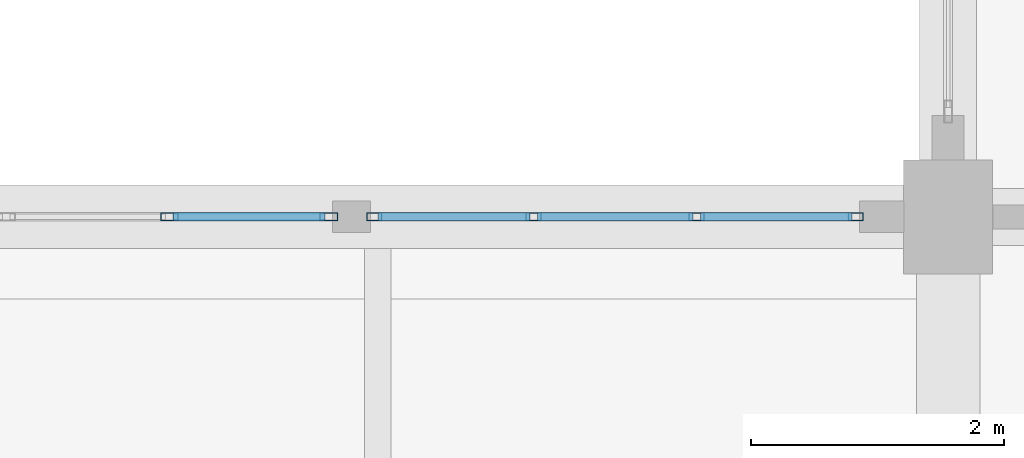
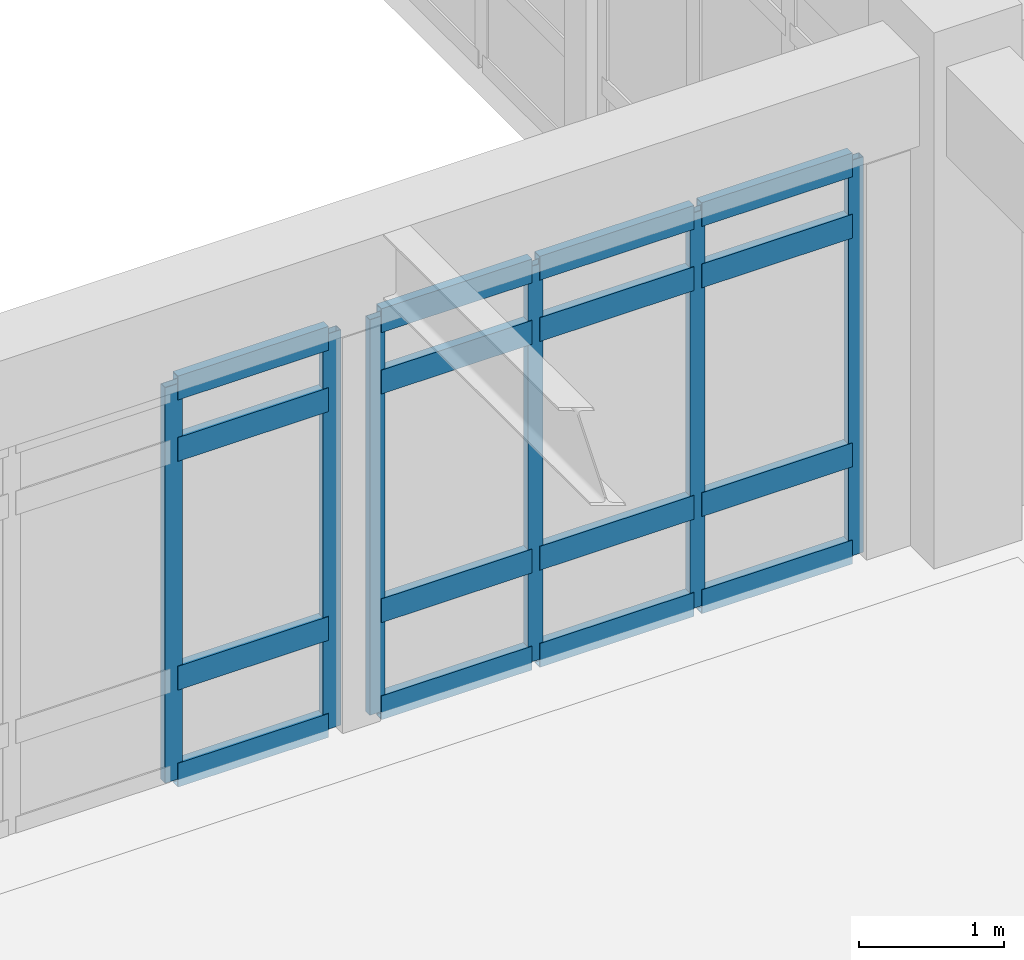
# One storey, part 10 of 109: 22 members, 2 elements without a shape of their own.
"""IFC4 building model written with IfcOpenShell, lengths in metres."""

import ifcopenshell
import ifcopenshell.guid

model = None  # the IFC model being written
_history = None  # IfcOwnerHistory: only IFC2X3 demands one
_inside = {}  # id of a spatial element -> (the spatial element, [elements in it])
_under = {}  # id of a project, library or spatial element -> (it, [spatial elements below it])
_declared = {}  # id of a project -> (the project, [libraries it declares])
_typed = {}  # id of a type object -> (the type object, [elements of that type])
_made_of = {}  # id of a material, layer set ... -> (it, [elements and type objects made of it])


def new_model(schema):
    """Start an empty IFC model of exactly this schema.

    Asked for "IFC4X3", IfcOpenShell would pick the latest addendum, in which some entities
    have other attributes; the version numbers below select the first issue.
    IFC2X3 requires an IfcOwnerHistory on every rooted entity: one is made here for all.
    """
    global model, _history
    if schema == "IFC4X3":
        model = ifcopenshell.file(schema_version=(4, 3, 0, 0))
    else:
        model = ifcopenshell.file(schema=schema)
    _inside.clear()
    _under.clear()
    _declared.clear()
    _typed.clear()
    _made_of.clear()
    _history = None
    if model.schema == "IFC2X3":
        org = make("IfcOrganization", Name="unknown")
        user = make(
            "IfcPersonAndOrganization",
            ThePerson=make("IfcPerson", FamilyName="unknown"),
            TheOrganization=org,
        )
        app = make(
            "IfcApplication",
            ApplicationDeveloper=org,
            Version="unknown",
            ApplicationFullName="unknown",
            ApplicationIdentifier="unknown",
        )
        _history = make(
            "IfcOwnerHistory",
            OwningUser=user,
            OwningApplication=app,
            ChangeAction="ADDED",
            CreationDate=0,
        )
    return model


def make(cls, **values):
    """One entity of the class cls with the attributes given. An attribute that is None is left unset."""
    return model.create_entity(
        cls, **{name: value for name, value in values.items() if value is not None}
    )


def rooted(cls, **values):
    """An entity with a GlobalId (a new one), such as an element, a storey or a relation."""
    return make(cls, GlobalId=ifcopenshell.guid.new(), OwnerHistory=_history, **values)


def si_unit(unit_type, name, prefix=None):
    """IfcSIUnit, for example si_unit("LENGTHUNIT", "METRE", prefix="MILLI")."""
    return make("IfcSIUnit", UnitType=unit_type, Prefix=prefix, Name=name)


def assignment(units):
    """IfcUnitAssignment: the units of a project."""
    return None if units is None else make("IfcUnitAssignment", Units=units)


def point(xyz):
    """IfcCartesianPoint."""
    return None if xyz is None else make("IfcCartesianPoint", Coordinates=xyz)


def direction(xyz):
    """IfcDirection."""
    return None if xyz is None else make("IfcDirection", DirectionRatios=xyz)


def frame(location, z_axis=None, x_axis=None):
    """IfcAxis2Placement3D, a coordinate frame: its origin and axes. An axis left out is left unset."""
    return make(
        "IfcAxis2Placement3D",
        Location=point(location),
        Axis=direction(z_axis),
        RefDirection=direction(x_axis),
    )


def frame_2d(location, x_axis=None):
    """IfcAxis2Placement2D, a coordinate frame in the plane: its origin and x axis."""
    return make(
        "IfcAxis2Placement2D", Location=point(location), RefDirection=direction(x_axis)
    )


def origin():
    """The frame at (0, 0, 0) with its axes left unset."""
    return frame((0.0, 0.0, 0.0))


def origin_2d():
    """The frame at (0, 0) in the plane with its x axis left unset."""
    return frame_2d((0.0, 0.0))


def place(relative_to, where):
    """IfcLocalPlacement: puts the frame where relative to a parent placement (None: the world)."""
    return make(
        "IfcLocalPlacement", PlacementRelTo=relative_to, RelativePlacement=where
    )


def context(
    kind, dimensions, precision=None, world=None, true_north=None, identifier=None
):
    """IfcGeometricRepresentationContext, for example the 3D "Model" context."""
    return make(
        "IfcGeometricRepresentationContext",
        ContextIdentifier=identifier,
        ContextType=kind,
        CoordinateSpaceDimension=dimensions,
        Precision=precision,
        WorldCoordinateSystem=world,
        TrueNorth=true_north,
    )


def subcontext(parent, identifier, kind, view, scale=None):
    """IfcGeometricRepresentationSubContext, for example "Body" below "Model"."""
    return make(
        "IfcGeometricRepresentationSubContext",
        ContextIdentifier=identifier,
        ContextType=kind,
        ParentContext=parent,
        TargetScale=scale,
        TargetView=view,
    )


def project(units=None, contexts=None):
    """IfcProject with its units and contexts."""
    return rooted(
        "IfcProject",
        Name="project",
        RepresentationContexts=contexts,
        UnitsInContext=assignment(units),
    )


def spatial(cls, under=None, at=None, **own):
    """A site, building, storey or space (cls), placed at a placement, below another one or the project."""
    s = rooted(cls, ObjectPlacement=at, **own)
    if under is not None:
        _under.setdefault(under.id(), (under, []))[1].append(s)
    return s


def profile(cls, at=None, kind="AREA", **sizes):
    """A parametric profile (cls). Its sizes go by their IFC names, for example OverallWidth=200.0."""
    return make(cls, ProfileType=kind, Position=at, **sizes)


def hollow_rectangle(**sizes):
    """IfcRectangleHollowProfileDef."""
    return profile("IfcRectangleHollowProfileDef", **sizes)


def extrude(swept, where, along, depth):
    """IfcExtrudedAreaSolid: the profile swept, set in the frame where, extruded along a direction by depth."""
    return make(
        "IfcExtrudedAreaSolid",
        SweptArea=swept,
        Position=where,
        ExtrudedDirection=direction(along),
        Depth=depth,
    )


def shape(context_of_items, identifier, shape_type, items):
    """IfcShapeRepresentation: the items that make up one representation, for example the "Body"."""
    return make(
        "IfcShapeRepresentation",
        ContextOfItems=context_of_items,
        RepresentationIdentifier=identifier,
        RepresentationType=shape_type,
        Items=items,
    )


def material(Name=None, Category=None):
    """IfcMaterial."""
    return make("IfcMaterial", Name=Name, Category=Category)


def layer(
    of_material, thickness, ventilated=None, Name=None, Category=None, Priority=None
):
    """IfcMaterialLayer: one layer of a wall or slab, of a material (None: an air gap)."""
    return make(
        "IfcMaterialLayer",
        Material=of_material,
        LayerThickness=thickness,
        IsVentilated=ventilated,
        Name=Name,
        Category=Category,
        Priority=Priority,
    )


def layer_set(layers, Name=None):
    """IfcMaterialLayerSet."""
    return make("IfcMaterialLayerSet", MaterialLayers=layers, LayerSetName=Name)


def material_profile(
    of_material, cross_section, Name=None, Category=None, Priority=None
):
    """IfcMaterialProfile: a cross section and its material."""
    return make(
        "IfcMaterialProfile",
        Name=Name,
        Material=of_material,
        Profile=cross_section,
        Priority=Priority,
        Category=Category,
    )


def profile_set(profiles, Name=None, composite=None):
    """IfcMaterialProfileSet."""
    return make(
        "IfcMaterialProfileSet",
        Name=Name,
        MaterialProfiles=profiles,
        CompositeProfile=composite,
    )


def made_of(thing, what):
    """Note that an element or type object is made of a material, layer set ...; save() writes the relation."""
    if what is not None:
        _made_of.setdefault(what.id(), (what, []))[1].append(thing)
    return thing


def type_object(cls, material=None, **own):
    """A type object (cls), such as IfcWallType, which elements share."""
    return made_of(rooted(cls, **own), material)


def element(
    cls,
    number,
    at=None,
    inside=None,
    cuts=None,
    type_object=None,
    material=None,
    context=None,
    identifier="Body",
    shape_type=None,
    held_by="IfcProductDefinitionShape",
    body=None,
    shapes=None,
    **own,
):
    """One element of the class cls, such as IfcWall. Its Tag is "e" and its number.

    at: its placement. inside: the storey or other place that contains it. cuts: it is an
    opening in that element (IfcRelVoidsElement). A single representation is given by context,
    identifier, shape_type and body (its items); several are given by shapes. held_by: the class
    of the entity that holds the representations. save() writes the other relations.
    """
    e = rooted(cls, Tag="e%d" % number, ObjectPlacement=at, **own)
    if body is not None:
        shapes = [shape(context, identifier, shape_type, body)]
    if shapes is not None:
        e.Representation = make(held_by, Representations=shapes)
    if inside is not None:
        _inside.setdefault(inside.id(), (inside, []))[1].append(e)
    if cuts is not None:
        rooted(
            "IfcRelVoidsElement", RelatingBuildingElement=cuts, RelatedOpeningElement=e
        )
    if type_object is not None:
        _typed.setdefault(type_object.id(), (type_object, []))[1].append(e)
    return made_of(e, material)


def aggregate(whole, parts):
    """IfcRelAggregates: a whole, such as a stair, and the parts it consists of."""
    return rooted("IfcRelAggregates", RelatingObject=whole, RelatedObjects=parts)


def save(model, path):
    """Write the relations noted so far, then the file.

    IfcRelAggregates (storeys below a building ...), IfcRelContainedInSpatialStructure (elements
    in a storey), IfcRelDefinesByType, IfcRelAssociatesMaterial and IfcRelDeclares: one each for
    every whole, place, type object, material and project.
    """
    for whole, parts in _under.values():
        aggregate(whole, parts)
    for where, things in _inside.values():
        rooted(
            "IfcRelContainedInSpatialStructure",
            RelatedElements=things,
            RelatingStructure=where,
        )
    for kind, things in _typed.values():
        rooted("IfcRelDefinesByType", RelatedObjects=things, RelatingType=kind)
    for what, things in _made_of.values():
        rooted("IfcRelAssociatesMaterial", RelatedObjects=things, RelatingMaterial=what)
    for by, libraries in _declared.values():
        rooted("IfcRelDeclares", RelatingContext=by, RelatedDefinitions=libraries)
    model.write(path)


model = new_model("IFC4")

# Units and contexts
model_context = context("Model", 3, precision=1e-05, world=origin(), true_north=direction((0.0, 1.0)))
body_context = subcontext(model_context, "Body", "Model", "MODEL_VIEW")
ifc_project = project(units=[si_unit("LENGTHUNIT", "METRE"), si_unit("AREAUNIT", "SQUARE_METRE"), si_unit("VOLUMEUNIT", "CUBIC_METRE"), si_unit("PLANEANGLEUNIT", "RADIAN"), si_unit("MASSUNIT", "GRAM", prefix="KILO")], contexts=[model_context])

# Site, building, storey
site_placement = place(None, origin())
site = spatial("IfcSite", under=ifc_project, at=site_placement, CompositionType="ELEMENT")
building_placement = place(site_placement, origin())
building = spatial("IfcBuilding", under=site, at=building_placement, Name="Fikremerkos Civic Library", CompositionType="ELEMENT")
storey_placement = place(building_placement, frame((0.0, 0.0, 5.39990234375)))
storey = spatial("IfcBuildingStorey", under=building, at=storey_placement, Name="L01", CompositionType="ELEMENT", Elevation=5.39990234375)

# Curtain wall, members
ifc_material = material(Name="Anodized aluminium Frame", Category="aluminium")
ifc_layer_1 = layer(ifc_material, 0.159912109375, Name="Anodized aluminium Frame")
ifc_layer_set_1 = layer_set([ifc_layer_1], Name="Anodized aluminium Frame")
curtain_wall_type_1 = type_object("IfcCurtainWallType", Name="Unitised curtain wall CW-07 3500x4100", PredefinedType="USERDEFINED", material=ifc_layer_set_1)
curtain_wall_1_placement = place(storey_placement, origin())
curtain_wall_1 = element("IfcCurtainWall", 1, at=curtain_wall_1_placement, inside=storey, type_object=curtain_wall_type_1, Name="Unitised curtain wall CW-07 L01 #79", ObjectType="UNITISED CURTAIN WALL", PredefinedType="USERDEFINED")
ifc_material_profile_1 = material_profile(ifc_material, hollow_rectangle(XDim=0.06005859375, YDim=0.139892578125, WallThickness=0.00390625, at=origin_2d()), Name="ALU 140x60x4")
ifc_profile_set_1 = profile_set([ifc_material_profile_1], Name="Anodized aluminium Frame")
member_type_1 = type_object("IfcMemberType", Name="Curtain mullion CWM-03 ALU 140x60x4", PredefinedType="MULLION", material=ifc_profile_set_1)
member_1_placement = place(storey_placement, frame((40.0556640625, 31.199951171875, 0.0), z_axis=(0.0, 0.0, 1.0), x_axis=(0.0, 1.0, 0.0)))
member_1 = element("IfcMember", 2, at=member_1_placement, type_object=member_type_1, Name="CW-07 mullion 3", PredefinedType="MULLION", context=body_context, shape_type="SweptSolid", body=[
    extrude(hollow_rectangle(XDim=0.06005859375, YDim=0.139892578125, WallThickness=0.00390625, at=origin_2d()), origin(), (0.0, 0.0, 1.0), 3.320068359375),
])
member_2_placement = place(storey_placement, frame((41.312255859375, 31.199951171875, 0.0), z_axis=(0.0, 0.0, 1.0), x_axis=(0.0, 1.0, 0.0)))
member_2 = element("IfcMember", 3, at=member_2_placement, type_object=member_type_1, Name="CW-07 mullion 4", PredefinedType="MULLION", context=body_context, shape_type="SweptSolid", body=[
    extrude(hollow_rectangle(XDim=0.06005859375, YDim=0.139892578125, WallThickness=0.00390625, at=origin_2d()), origin(), (0.0, 0.0, 1.0), 3.320068359375),
])

ifc_layer_2 = layer(ifc_material, 0.159912109375, Name="Anodized aluminium Frame")
ifc_layer_set_2 = layer_set([ifc_layer_2], Name="Anodized aluminium Frame")
curtain_wall_type_2 = type_object("IfcCurtainWallType", Name="Unitised curtain wall CW-08 4500x4100", PredefinedType="USERDEFINED", material=ifc_layer_set_2)
curtain_wall_2_placement = place(storey_placement, origin())
curtain_wall_2 = element("IfcCurtainWall", 4, at=curtain_wall_2_placement, inside=storey, type_object=curtain_wall_type_2, Name="Unitised curtain wall CW-08 L01 #80", ObjectType="UNITISED CURTAIN WALL", PredefinedType="USERDEFINED")
ifc_material_profile_2 = material_profile(ifc_material, hollow_rectangle(XDim=0.06005859375, YDim=0.1201171875, WallThickness=0.00390625, at=origin_2d()), Name="ALU 120x60x4")
ifc_profile_set_2 = profile_set([ifc_material_profile_2], Name="Anodized aluminium Frame")
member_type_2 = type_object("IfcMemberType", Name="Curtain mullion CWM-04 ALU 120x60x4", PredefinedType="MULLION", material=ifc_profile_set_2)
member_3_placement = place(storey_placement, frame((41.67236328125, 31.199951171875, 0.0), z_axis=(0.0, 0.0, 1.0), x_axis=(0.0, 1.0, 0.0)))
member_3 = element("IfcMember", 5, at=member_3_placement, type_object=member_type_2, Name="CW-08 mullion 1", PredefinedType="MULLION", context=body_context, shape_type="SweptSolid", body=[
    extrude(hollow_rectangle(XDim=0.06005859375, YDim=0.1201171875, WallThickness=0.00390625, at=origin_2d()), origin(), (0.0, 0.0, 1.0), 3.320068359375),
])
member_4_placement = place(storey_placement, frame((42.928955078125, 31.199951171875, 0.0), z_axis=(0.0, 0.0, 1.0), x_axis=(0.0, 1.0, 0.0)))
member_4 = element("IfcMember", 6, at=member_4_placement, type_object=member_type_2, Name="CW-08 mullion 2", PredefinedType="MULLION", context=body_context, shape_type="SweptSolid", body=[
    extrude(hollow_rectangle(XDim=0.06005859375, YDim=0.1201171875, WallThickness=0.00390625, at=origin_2d()), origin(), (0.0, 0.0, 1.0), 3.320068359375),
])
member_5_placement = place(storey_placement, frame((44.21533203125, 31.199951171875, 0.0), z_axis=(0.0, 0.0, 1.0), x_axis=(0.0, 1.0, 0.0)))
member_5 = element("IfcMember", 7, at=member_5_placement, type_object=member_type_2, Name="CW-08 mullion 3", PredefinedType="MULLION", context=body_context, shape_type="SweptSolid", body=[
    extrude(hollow_rectangle(XDim=0.06005859375, YDim=0.1201171875, WallThickness=0.00390625, at=origin_2d()), origin(), (0.0, 0.0, 1.0), 3.320068359375),
])
member_6_placement = place(storey_placement, frame((45.471923828125, 31.199951171875, 0.0), z_axis=(0.0, 0.0, 1.0), x_axis=(0.0, 1.0, 0.0)))
member_6 = element("IfcMember", 8, at=member_6_placement, type_object=member_type_2, Name="CW-08 mullion 4", PredefinedType="MULLION", context=body_context, shape_type="SweptSolid", body=[
    extrude(hollow_rectangle(XDim=0.06005859375, YDim=0.1201171875, WallThickness=0.00390625, at=origin_2d()), origin(), (0.0, 0.0, 1.0), 3.320068359375),
])

# Member
ifc_material_profile_3 = material_profile(ifc_material, hollow_rectangle(XDim=0.070068359375, YDim=0.199951171875, WallThickness=0.0048828125, at=origin_2d()), Name="ALU 200x70x5")
ifc_profile_set_3 = profile_set([ifc_material_profile_3], Name="Anodized aluminium Frame")
member_type_3 = type_object("IfcMemberType", Name="Curtain transom CWT-04 ALU 200x70x5", PredefinedType="USERDEFINED", material=ifc_profile_set_3)
member_7_placement = place(storey_placement, frame((40.085693359375, 31.199951171875, 0.03515625), z_axis=(1.0, 0.0, 0.0), x_axis=(0.0, 1.0, 0.0)))
member_7 = element("IfcMember", 9, at=member_7_placement, type_object=member_type_3, Name="CW-07 transom 3.1", ObjectType="TRANSOM", PredefinedType="USERDEFINED", context=body_context, shape_type="SweptSolid", body=[
    extrude(hollow_rectangle(XDim=0.070068359375, YDim=0.199951171875, WallThickness=0.0048828125, at=origin_2d()), origin(), (0.0, 0.0, 1.0), 1.196533203125),
])

member_8_placement = place(storey_placement, frame((40.085693359375, 31.199951171875, 0.85009765625), z_axis=(1.0, 0.0, 0.0), x_axis=(0.0, 1.0, 0.0)))
member_8 = element("IfcMember", 10, at=member_8_placement, type_object=member_type_3, Name="CW-07 transom 3.2", ObjectType="TRANSOM", PredefinedType="USERDEFINED", context=body_context, shape_type="SweptSolid", body=[
    extrude(hollow_rectangle(XDim=0.070068359375, YDim=0.199951171875, WallThickness=0.0048828125, at=origin_2d()), origin(), (0.0, 0.0, 1.0), 1.196533203125),
])

member_9_placement = place(storey_placement, frame((40.085693359375, 31.199951171875, 2.77001953125), z_axis=(1.0, 0.0, 0.0), x_axis=(0.0, 1.0, 0.0)))
member_9 = element("IfcMember", 11, at=member_9_placement, type_object=member_type_3, Name="CW-07 transom 3.3", ObjectType="TRANSOM", PredefinedType="USERDEFINED", context=body_context, shape_type="SweptSolid", body=[
    extrude(hollow_rectangle(XDim=0.070068359375, YDim=0.199951171875, WallThickness=0.0048828125, at=origin_2d()), origin(), (0.0, 0.0, 1.0), 1.196533203125),
])

member_10_placement = place(storey_placement, frame((40.085693359375, 31.199951171875, 3.28515625), z_axis=(1.0, 0.0, 0.0), x_axis=(0.0, 1.0, 0.0)))
member_10 = element("IfcMember", 12, at=member_10_placement, type_object=member_type_3, Name="CW-07 transom 3.4", ObjectType="TRANSOM", PredefinedType="USERDEFINED", context=body_context, shape_type="SweptSolid", body=[
    extrude(hollow_rectangle(XDim=0.070068359375, YDim=0.199951171875, WallThickness=0.0048828125, at=origin_2d()), origin(), (0.0, 0.0, 1.0), 1.196533203125),
])

aggregate(curtain_wall_1, [member_1, member_2, member_7, member_8, member_9, member_10])

member_11_placement = place(storey_placement, frame((41.702392578125, 31.199951171875, 0.03515625), z_axis=(1.0, 0.0, 0.0), x_axis=(0.0, 1.0, 0.0)))
member_11 = element("IfcMember", 13, at=member_11_placement, type_object=member_type_3, Name="CW-08 transom 1.1", ObjectType="TRANSOM", PredefinedType="USERDEFINED", context=body_context, shape_type="SweptSolid", body=[
    extrude(hollow_rectangle(XDim=0.070068359375, YDim=0.199951171875, WallThickness=0.0048828125, at=origin_2d()), origin(), (0.0, 0.0, 1.0), 1.196533203125),
])

member_12_placement = place(storey_placement, frame((41.702392578125, 31.199951171875, 0.85009765625), z_axis=(1.0, 0.0, 0.0), x_axis=(0.0, 1.0, 0.0)))
member_12 = element("IfcMember", 14, at=member_12_placement, type_object=member_type_3, Name="CW-08 transom 1.2", ObjectType="TRANSOM", PredefinedType="USERDEFINED", context=body_context, shape_type="SweptSolid", body=[
    extrude(hollow_rectangle(XDim=0.070068359375, YDim=0.199951171875, WallThickness=0.0048828125, at=origin_2d()), origin(), (0.0, 0.0, 1.0), 1.196533203125),
])

member_13_placement = place(storey_placement, frame((41.702392578125, 31.199951171875, 2.77001953125), z_axis=(1.0, 0.0, 0.0), x_axis=(0.0, 1.0, 0.0)))
member_13 = element("IfcMember", 15, at=member_13_placement, type_object=member_type_3, Name="CW-08 transom 1.3", ObjectType="TRANSOM", PredefinedType="USERDEFINED", context=body_context, shape_type="SweptSolid", body=[
    extrude(hollow_rectangle(XDim=0.070068359375, YDim=0.199951171875, WallThickness=0.0048828125, at=origin_2d()), origin(), (0.0, 0.0, 1.0), 1.196533203125),
])

member_14_placement = place(storey_placement, frame((41.702392578125, 31.199951171875, 3.28515625), z_axis=(1.0, 0.0, 0.0), x_axis=(0.0, 1.0, 0.0)))
member_14 = element("IfcMember", 16, at=member_14_placement, type_object=member_type_3, Name="CW-08 transom 1.4", ObjectType="TRANSOM", PredefinedType="USERDEFINED", context=body_context, shape_type="SweptSolid", body=[
    extrude(hollow_rectangle(XDim=0.070068359375, YDim=0.199951171875, WallThickness=0.0048828125, at=origin_2d()), origin(), (0.0, 0.0, 1.0), 1.196533203125),
])

member_15_placement = place(storey_placement, frame((42.958984375, 31.199951171875, 0.03515625), z_axis=(1.0, 0.0, 0.0), x_axis=(0.0, 1.0, 0.0)))
member_15 = element("IfcMember", 17, at=member_15_placement, type_object=member_type_3, Name="CW-08 transom 2.1", ObjectType="TRANSOM", PredefinedType="USERDEFINED", context=body_context, shape_type="SweptSolid", body=[
    extrude(hollow_rectangle(XDim=0.070068359375, YDim=0.199951171875, WallThickness=0.0048828125, at=origin_2d()), origin(), (0.0, 0.0, 1.0), 1.2265625),
])

member_16_placement = place(storey_placement, frame((42.958984375, 31.199951171875, 0.85009765625), z_axis=(1.0, 0.0, 0.0), x_axis=(0.0, 1.0, 0.0)))
member_16 = element("IfcMember", 18, at=member_16_placement, type_object=member_type_3, Name="CW-08 transom 2.2", ObjectType="TRANSOM", PredefinedType="USERDEFINED", context=body_context, shape_type="SweptSolid", body=[
    extrude(hollow_rectangle(XDim=0.070068359375, YDim=0.199951171875, WallThickness=0.0048828125, at=origin_2d()), origin(), (0.0, 0.0, 1.0), 1.2265625),
])

member_17_placement = place(storey_placement, frame((42.958984375, 31.199951171875, 2.77001953125), z_axis=(1.0, 0.0, 0.0), x_axis=(0.0, 1.0, 0.0)))
member_17 = element("IfcMember", 19, at=member_17_placement, type_object=member_type_3, Name="CW-08 transom 2.3", ObjectType="TRANSOM", PredefinedType="USERDEFINED", context=body_context, shape_type="SweptSolid", body=[
    extrude(hollow_rectangle(XDim=0.070068359375, YDim=0.199951171875, WallThickness=0.0048828125, at=origin_2d()), origin(), (0.0, 0.0, 1.0), 1.2265625),
])

member_18_placement = place(storey_placement, frame((42.958984375, 31.199951171875, 3.28515625), z_axis=(1.0, 0.0, 0.0), x_axis=(0.0, 1.0, 0.0)))
member_18 = element("IfcMember", 20, at=member_18_placement, type_object=member_type_3, Name="CW-08 transom 2.4", ObjectType="TRANSOM", PredefinedType="USERDEFINED", context=body_context, shape_type="SweptSolid", body=[
    extrude(hollow_rectangle(XDim=0.070068359375, YDim=0.199951171875, WallThickness=0.0048828125, at=origin_2d()), origin(), (0.0, 0.0, 1.0), 1.2265625),
])

member_19_placement = place(storey_placement, frame((44.245361328125, 31.199951171875, 0.03515625), z_axis=(1.0, 0.0, 0.0), x_axis=(0.0, 1.0, 0.0)))
member_19 = element("IfcMember", 21, at=member_19_placement, type_object=member_type_3, Name="CW-08 transom 3.1", ObjectType="TRANSOM", PredefinedType="USERDEFINED", context=body_context, shape_type="SweptSolid", body=[
    extrude(hollow_rectangle(XDim=0.070068359375, YDim=0.199951171875, WallThickness=0.0048828125, at=origin_2d()), origin(), (0.0, 0.0, 1.0), 1.196533203125),
])

member_20_placement = place(storey_placement, frame((44.245361328125, 31.199951171875, 0.85009765625), z_axis=(1.0, 0.0, 0.0), x_axis=(0.0, 1.0, 0.0)))
member_20 = element("IfcMember", 22, at=member_20_placement, type_object=member_type_3, Name="CW-08 transom 3.2", ObjectType="TRANSOM", PredefinedType="USERDEFINED", context=body_context, shape_type="SweptSolid", body=[
    extrude(hollow_rectangle(XDim=0.070068359375, YDim=0.199951171875, WallThickness=0.0048828125, at=origin_2d()), origin(), (0.0, 0.0, 1.0), 1.196533203125),
])

member_21_placement = place(storey_placement, frame((44.245361328125, 31.199951171875, 2.77001953125), z_axis=(1.0, 0.0, 0.0), x_axis=(0.0, 1.0, 0.0)))
member_21 = element("IfcMember", 23, at=member_21_placement, type_object=member_type_3, Name="CW-08 transom 3.3", ObjectType="TRANSOM", PredefinedType="USERDEFINED", context=body_context, shape_type="SweptSolid", body=[
    extrude(hollow_rectangle(XDim=0.070068359375, YDim=0.199951171875, WallThickness=0.0048828125, at=origin_2d()), origin(), (0.0, 0.0, 1.0), 1.196533203125),
])

member_22_placement = place(storey_placement, frame((44.245361328125, 31.199951171875, 3.28515625), z_axis=(1.0, 0.0, 0.0), x_axis=(0.0, 1.0, 0.0)))
member_22 = element("IfcMember", 24, at=member_22_placement, type_object=member_type_3, Name="CW-08 transom 3.4", ObjectType="TRANSOM", PredefinedType="USERDEFINED", context=body_context, shape_type="SweptSolid", body=[
    extrude(hollow_rectangle(XDim=0.070068359375, YDim=0.199951171875, WallThickness=0.0048828125, at=origin_2d()), origin(), (0.0, 0.0, 1.0), 1.196533203125),
])

aggregate(curtain_wall_2, [member_3, member_4, member_5, member_6, member_11, member_12, member_13, member_14, member_15, member_16, member_17, member_18, member_19, member_20, member_21, member_22])

save(model, "model.ifc")
